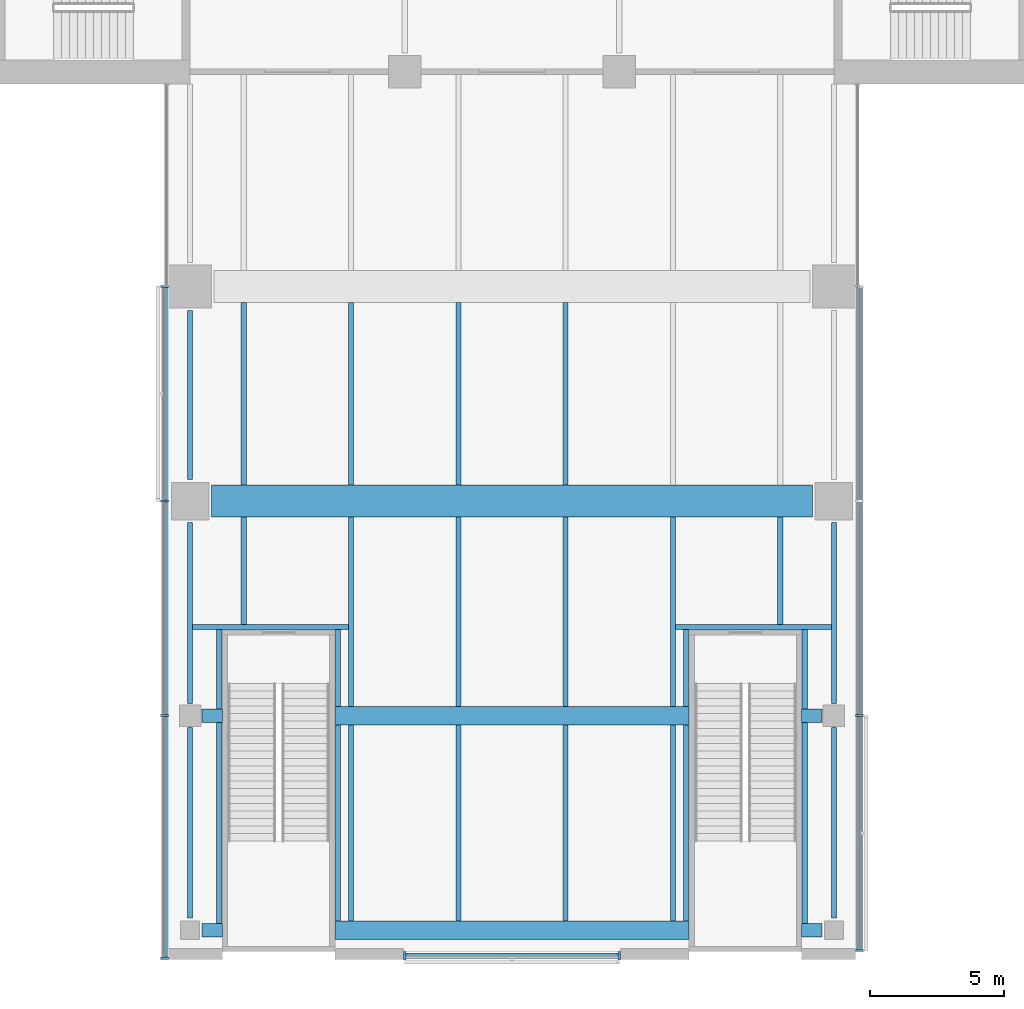
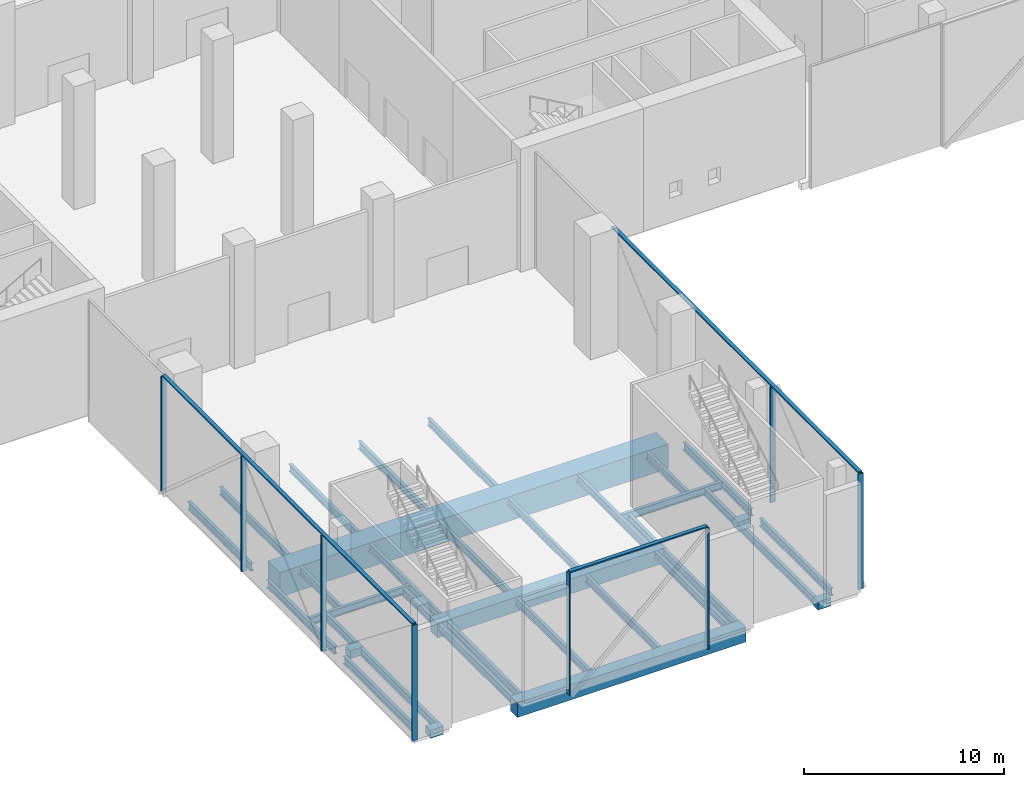
# One storey, part 2 of 25: 36 beams, 11 members, 3 elements without a shape of their own.
"""IFC4 building model written with IfcOpenShell, lengths in metres."""

import ifcopenshell
import ifcopenshell.guid

model = None  # the IFC model being written
_history = None  # IfcOwnerHistory: only IFC2X3 demands one
_inside = {}  # id of a spatial element -> (the spatial element, [elements in it])
_under = {}  # id of a project, library or spatial element -> (it, [spatial elements below it])
_declared = {}  # id of a project -> (the project, [libraries it declares])
_typed = {}  # id of a type object -> (the type object, [elements of that type])
_made_of = {}  # id of a material, layer set ... -> (it, [elements and type objects made of it])


def new_model(schema):
    """Start an empty IFC model of exactly this schema.

    Asked for "IFC4X3", IfcOpenShell would pick the latest addendum, in which some entities
    have other attributes; the version numbers below select the first issue.
    IFC2X3 requires an IfcOwnerHistory on every rooted entity: one is made here for all.
    """
    global model, _history
    if schema == "IFC4X3":
        model = ifcopenshell.file(schema_version=(4, 3, 0, 0))
    else:
        model = ifcopenshell.file(schema=schema)
    _inside.clear()
    _under.clear()
    _declared.clear()
    _typed.clear()
    _made_of.clear()
    _history = None
    if model.schema == "IFC2X3":
        org = make("IfcOrganization", Name="unknown")
        user = make(
            "IfcPersonAndOrganization",
            ThePerson=make("IfcPerson", FamilyName="unknown"),
            TheOrganization=org,
        )
        app = make(
            "IfcApplication",
            ApplicationDeveloper=org,
            Version="unknown",
            ApplicationFullName="unknown",
            ApplicationIdentifier="unknown",
        )
        _history = make(
            "IfcOwnerHistory",
            OwningUser=user,
            OwningApplication=app,
            ChangeAction="ADDED",
            CreationDate=0,
        )
    return model


def make(cls, **values):
    """One entity of the class cls with the attributes given. An attribute that is None is left unset."""
    return model.create_entity(
        cls, **{name: value for name, value in values.items() if value is not None}
    )


def rooted(cls, **values):
    """An entity with a GlobalId (a new one), such as an element, a storey or a relation."""
    return make(cls, GlobalId=ifcopenshell.guid.new(), OwnerHistory=_history, **values)


def si_unit(unit_type, name, prefix=None):
    """IfcSIUnit, for example si_unit("LENGTHUNIT", "METRE", prefix="MILLI")."""
    return make("IfcSIUnit", UnitType=unit_type, Prefix=prefix, Name=name)


def assignment(units):
    """IfcUnitAssignment: the units of a project."""
    return None if units is None else make("IfcUnitAssignment", Units=units)


def point(xyz):
    """IfcCartesianPoint."""
    return None if xyz is None else make("IfcCartesianPoint", Coordinates=xyz)


def direction(xyz):
    """IfcDirection."""
    return None if xyz is None else make("IfcDirection", DirectionRatios=xyz)


def frame(location, z_axis=None, x_axis=None):
    """IfcAxis2Placement3D, a coordinate frame: its origin and axes. An axis left out is left unset."""
    return make(
        "IfcAxis2Placement3D",
        Location=point(location),
        Axis=direction(z_axis),
        RefDirection=direction(x_axis),
    )


def frame_2d(location, x_axis=None):
    """IfcAxis2Placement2D, a coordinate frame in the plane: its origin and x axis."""
    return make(
        "IfcAxis2Placement2D", Location=point(location), RefDirection=direction(x_axis)
    )


def origin():
    """The frame at (0, 0, 0) with its axes left unset."""
    return frame((0.0, 0.0, 0.0))


def origin_2d():
    """The frame at (0, 0) in the plane with its x axis left unset."""
    return frame_2d((0.0, 0.0))


def place(relative_to, where):
    """IfcLocalPlacement: puts the frame where relative to a parent placement (None: the world)."""
    return make(
        "IfcLocalPlacement", PlacementRelTo=relative_to, RelativePlacement=where
    )


def context(
    kind, dimensions, precision=None, world=None, true_north=None, identifier=None
):
    """IfcGeometricRepresentationContext, for example the 3D "Model" context."""
    return make(
        "IfcGeometricRepresentationContext",
        ContextIdentifier=identifier,
        ContextType=kind,
        CoordinateSpaceDimension=dimensions,
        Precision=precision,
        WorldCoordinateSystem=world,
        TrueNorth=true_north,
    )


def subcontext(parent, identifier, kind, view, scale=None):
    """IfcGeometricRepresentationSubContext, for example "Body" below "Model"."""
    return make(
        "IfcGeometricRepresentationSubContext",
        ContextIdentifier=identifier,
        ContextType=kind,
        ParentContext=parent,
        TargetScale=scale,
        TargetView=view,
    )


def project(units=None, contexts=None):
    """IfcProject with its units and contexts."""
    return rooted(
        "IfcProject",
        Name="project",
        RepresentationContexts=contexts,
        UnitsInContext=assignment(units),
    )


def spatial(cls, under=None, at=None, **own):
    """A site, building, storey or space (cls), placed at a placement, below another one or the project."""
    s = rooted(cls, ObjectPlacement=at, **own)
    if under is not None:
        _under.setdefault(under.id(), (under, []))[1].append(s)
    return s


def profile(cls, at=None, kind="AREA", **sizes):
    """A parametric profile (cls). Its sizes go by their IFC names, for example OverallWidth=200.0."""
    return make(cls, ProfileType=kind, Position=at, **sizes)


def rectangle(**sizes):
    """IfcRectangleProfileDef."""
    return profile("IfcRectangleProfileDef", **sizes)


def i_section(**sizes):
    """IfcIShapeProfileDef."""
    return profile("IfcIShapeProfileDef", **sizes)


def extrude(swept, where, along, depth):
    """IfcExtrudedAreaSolid: the profile swept, set in the frame where, extruded along a direction by depth."""
    return make(
        "IfcExtrudedAreaSolid",
        SweptArea=swept,
        Position=where,
        ExtrudedDirection=direction(along),
        Depth=depth,
    )


def shape(context_of_items, identifier, shape_type, items):
    """IfcShapeRepresentation: the items that make up one representation, for example the "Body"."""
    return make(
        "IfcShapeRepresentation",
        ContextOfItems=context_of_items,
        RepresentationIdentifier=identifier,
        RepresentationType=shape_type,
        Items=items,
    )


def material(Name=None, Category=None):
    """IfcMaterial."""
    return make("IfcMaterial", Name=Name, Category=Category)


def material_profile(
    of_material, cross_section, Name=None, Category=None, Priority=None
):
    """IfcMaterialProfile: a cross section and its material."""
    return make(
        "IfcMaterialProfile",
        Name=Name,
        Material=of_material,
        Profile=cross_section,
        Priority=Priority,
        Category=Category,
    )


def profile_set(profiles, Name=None, composite=None):
    """IfcMaterialProfileSet."""
    return make(
        "IfcMaterialProfileSet",
        Name=Name,
        MaterialProfiles=profiles,
        CompositeProfile=composite,
    )


def made_of(thing, what):
    """Note that an element or type object is made of a material, layer set ...; save() writes the relation."""
    if what is not None:
        _made_of.setdefault(what.id(), (what, []))[1].append(thing)
    return thing


def type_object(cls, material=None, **own):
    """A type object (cls), such as IfcWallType, which elements share."""
    return made_of(rooted(cls, **own), material)


def element(
    cls,
    number,
    at=None,
    inside=None,
    cuts=None,
    type_object=None,
    material=None,
    context=None,
    identifier="Body",
    shape_type=None,
    held_by="IfcProductDefinitionShape",
    body=None,
    shapes=None,
    **own,
):
    """One element of the class cls, such as IfcWall. Its Tag is "e" and its number.

    at: its placement. inside: the storey or other place that contains it. cuts: it is an
    opening in that element (IfcRelVoidsElement). A single representation is given by context,
    identifier, shape_type and body (its items); several are given by shapes. held_by: the class
    of the entity that holds the representations. save() writes the other relations.
    """
    e = rooted(cls, Tag="e%d" % number, ObjectPlacement=at, **own)
    if body is not None:
        shapes = [shape(context, identifier, shape_type, body)]
    if shapes is not None:
        e.Representation = make(held_by, Representations=shapes)
    if inside is not None:
        _inside.setdefault(inside.id(), (inside, []))[1].append(e)
    if cuts is not None:
        rooted(
            "IfcRelVoidsElement", RelatingBuildingElement=cuts, RelatedOpeningElement=e
        )
    if type_object is not None:
        _typed.setdefault(type_object.id(), (type_object, []))[1].append(e)
    return made_of(e, material)


def aggregate(whole, parts):
    """IfcRelAggregates: a whole, such as a stair, and the parts it consists of."""
    return rooted("IfcRelAggregates", RelatingObject=whole, RelatedObjects=parts)


def save(model, path):
    """Write the relations noted so far, then the file.

    IfcRelAggregates (storeys below a building ...), IfcRelContainedInSpatialStructure (elements
    in a storey), IfcRelDefinesByType, IfcRelAssociatesMaterial and IfcRelDeclares: one each for
    every whole, place, type object, material and project.
    """
    for whole, parts in _under.values():
        aggregate(whole, parts)
    for where, things in _inside.values():
        rooted(
            "IfcRelContainedInSpatialStructure",
            RelatedElements=things,
            RelatingStructure=where,
        )
    for kind, things in _typed.values():
        rooted("IfcRelDefinesByType", RelatedObjects=things, RelatingType=kind)
    for what, things in _made_of.values():
        rooted("IfcRelAssociatesMaterial", RelatedObjects=things, RelatingMaterial=what)
    for by, libraries in _declared.values():
        rooted("IfcRelDeclares", RelatingContext=by, RelatedDefinitions=libraries)
    model.write(path)


model = new_model("IFC4")

# Units and contexts
model_context = context("Model", 3, precision=1e-05, world=origin(), true_north=direction((0.0, 1.0)))
body_context = subcontext(model_context, "Body", "Model", "MODEL_VIEW")
ifc_project = project(units=[si_unit("LENGTHUNIT", "METRE"), si_unit("AREAUNIT", "SQUARE_METRE"), si_unit("VOLUMEUNIT", "CUBIC_METRE"), si_unit("PLANEANGLEUNIT", "RADIAN"), si_unit("MASSUNIT", "GRAM", prefix="KILO")], contexts=[model_context])

# Site, building, storey
site_placement = place(None, origin())
site = spatial("IfcSite", under=ifc_project, at=site_placement, CompositionType="ELEMENT")
building_placement = place(site_placement, origin())
building = spatial("IfcBuilding", under=site, at=building_placement, Name="Crosswind Convention Tower", CompositionType="ELEMENT")
storey_placement = place(building_placement, frame((0.0, 0.0, 10.0)))
storey = spatial("IfcBuildingStorey", under=building, at=storey_placement, Name="L01", CompositionType="ELEMENT", Elevation=10.0)

# Beams
ifc_material_1 = material(Name="Steel S355", Category="steel")
ifc_material_profile_1 = material_profile(ifc_material_1, i_section(OverallWidth=0.19287109375, OverallDepth=0.467529296875, WebThickness=0.011474609375, FlangeThickness=0.01953125, FilletRadius=0.01025390625, at=origin_2d()), Name="UB 457x191x98")
ifc_profile_set_1 = profile_set([ifc_material_profile_1], Name="Steel S355")
beam_type_1 = type_object("IfcBeamType", Name="Edge beam UB 457x191x98", PredefinedType="SPANDREL", material=ifc_profile_set_1)
beam_1_placement = place(storey_placement, frame((113.0, 56.449951171875, -0.6337890625), z_axis=(0.0, 1.0, 0.0), x_axis=(-1.0, 0.0, 0.0)))
element("IfcBeam", 1, at=beam_1_placement, inside=storey, type_object=beam_type_1, Name="B20 L01 edge beam 5", PredefinedType="SPANDREL", context=body_context, shape_type="SweptSolid", body=[
    extrude(i_section(OverallWidth=0.19287109375, OverallDepth=0.467529296875, WebThickness=0.011474609375, FlangeThickness=0.01953125, FilletRadius=0.01025390625, at=origin_2d()), origin(), (0.0, 0.0, 1.0), 7.10009765625),
])
beam_2_placement = place(storey_placement, frame((113.0, 64.449951171875, -0.6337890625), z_axis=(0.0, 1.0, 0.0), x_axis=(-1.0, 0.0, 0.0)))
element("IfcBeam", 2, at=beam_2_placement, inside=storey, type_object=beam_type_1, Name="B20 L01 edge beam 6", PredefinedType="SPANDREL", context=body_context, shape_type="SweptSolid", body=[
    extrude(i_section(OverallWidth=0.19287109375, OverallDepth=0.467529296875, WebThickness=0.011474609375, FlangeThickness=0.01953125, FilletRadius=0.01025390625, at=origin_2d()), origin(), (0.0, 0.0, 1.0), 6.75),
])
beam_3_placement = place(storey_placement, frame((113.0, 72.800048828125, -0.6337890625), z_axis=(0.0, 1.0, 0.0), x_axis=(-1.0, 0.0, 0.0)))
element("IfcBeam", 3, at=beam_3_placement, inside=storey, type_object=beam_type_1, Name="B20 L01 edge beam 7", PredefinedType="SPANDREL", context=body_context, shape_type="SweptSolid", body=[
    extrude(i_section(OverallWidth=0.19287109375, OverallDepth=0.467529296875, WebThickness=0.011474609375, FlangeThickness=0.01953125, FilletRadius=0.01025390625, at=origin_2d()), origin(), (0.0, 0.0, 1.0), 6.300048828125),
])
beam_4_placement = place(storey_placement, frame((137.0, 56.449951171875, -0.6337890625), z_axis=(0.0, 1.0, 0.0), x_axis=(-1.0, 0.0, 0.0)))
element("IfcBeam", 4, at=beam_4_placement, inside=storey, type_object=beam_type_1, Name="B20 L01 edge beam 13", PredefinedType="SPANDREL", context=body_context, shape_type="SweptSolid", body=[
    extrude(i_section(OverallWidth=0.19287109375, OverallDepth=0.467529296875, WebThickness=0.011474609375, FlangeThickness=0.01953125, FilletRadius=0.01025390625, at=origin_2d()), origin(), (0.0, 0.0, 1.0), 7.10009765625),
])
beam_5_placement = place(storey_placement, frame((137.0, 64.449951171875, -0.6337890625), z_axis=(0.0, 1.0, 0.0), x_axis=(-1.0, 0.0, 0.0)))
element("IfcBeam", 5, at=beam_5_placement, inside=storey, type_object=beam_type_1, Name="B20 L01 edge beam 14", PredefinedType="SPANDREL", context=body_context, shape_type="SweptSolid", body=[
    extrude(i_section(OverallWidth=0.19287109375, OverallDepth=0.467529296875, WebThickness=0.011474609375, FlangeThickness=0.01953125, FilletRadius=0.01025390625, at=origin_2d()), origin(), (0.0, 0.0, 1.0), 6.75),
])

# Curtain wall, members
ifc_material_2 = material(Name="Aluminium unitised curtain wall", Category="aluminium")
curtain_wall_type = type_object("IfcCurtainWallType", Name="PODIUM UNITISED WALL 300", PredefinedType="USERDEFINED", material=ifc_material_2)
curtain_wall_1_placement = place(storey_placement, origin())
curtain_wall_1 = element("IfcCurtainWall", 6, at=curtain_wall_1_placement, inside=storey, type_object=curtain_wall_type, Name="CW1 L01 S-W 1", ObjectType="UNITISED", PredefinedType="USERDEFINED")
ifc_material_3 = material(Name="Aluminium mullion", Category="aluminium")
ifc_material_profile_2 = material_profile(ifc_material_3, rectangle(XDim=0.300048828125, YDim=0.080078125, at=origin_2d()), Name="AL 300X80")
ifc_profile_set_2 = profile_set([ifc_material_profile_2], Name="Aluminium mullion")
member_type_1 = type_object("IfcMemberType", Name="MULLION 80X300", PredefinedType="MULLION", material=ifc_profile_set_2)
member_1_placement = place(storey_placement, frame((112.050048828125, 80.0, -0.044921875), z_axis=(0.0, 0.0, 1.0), x_axis=(-1.0, 0.0, 0.0)))
member_1 = element("IfcMember", 7, at=member_1_placement, type_object=member_type_1, Name="CW1 mullion 1", PredefinedType="MULLION", context=body_context, shape_type="SweptSolid", body=[
    extrude(rectangle(XDim=0.300048828125, YDim=0.080078125, at=origin_2d()), origin(), (0.0, 0.0, 1.0), 7.06494140625),
])
member_2_placement = place(storey_placement, frame((112.050048828125, 72.0, -0.044921875), z_axis=(0.0, 0.0, 1.0), x_axis=(-1.0, 0.0, 0.0)))
member_2 = element("IfcMember", 8, at=member_2_placement, type_object=member_type_1, Name="CW1 mullion 2", PredefinedType="MULLION", context=body_context, shape_type="SweptSolid", body=[
    extrude(rectangle(XDim=0.300048828125, YDim=0.080078125, at=origin_2d()), origin(), (0.0, 0.0, 1.0), 7.06494140625),
])
member_3_placement = place(storey_placement, frame((112.050048828125, 64.0, -0.044921875), z_axis=(0.0, 0.0, 1.0), x_axis=(-1.0, 0.0, 0.0)))
member_3 = element("IfcMember", 9, at=member_3_placement, type_object=member_type_1, Name="CW1 mullion 3", PredefinedType="MULLION", context=body_context, shape_type="SweptSolid", body=[
    extrude(rectangle(XDim=0.300048828125, YDim=0.080078125, at=origin_2d()), origin(), (0.0, 0.0, 1.0), 7.06494140625),
])
member_4_placement = place(storey_placement, frame((112.050048828125, 54.955078125, -0.044921875), z_axis=(0.0, 0.0, 1.0), x_axis=(-1.0, 0.0, 0.0)))
member_4 = element("IfcMember", 10, at=member_4_placement, type_object=member_type_1, Name="CW1 mullion 4", PredefinedType="MULLION", context=body_context, shape_type="SweptSolid", body=[
    extrude(rectangle(XDim=0.300048828125, YDim=0.080078125, at=origin_2d()), origin(), (0.0, 0.0, 1.0), 7.06494140625),
])

curtain_wall_2_placement = place(storey_placement, origin())
curtain_wall_2 = element("IfcCurtainWall", 11, at=curtain_wall_2_placement, inside=storey, type_object=curtain_wall_type, Name="CW1 L01 S-TIP 1", ObjectType="UNITISED", PredefinedType="USERDEFINED")
member_5_placement = place(storey_placement, frame((121.0, 55.050048828125, -0.39990234375), z_axis=(0.0, 0.0, 1.0), x_axis=(0.0, -1.0, 0.0)))
member_5 = element("IfcMember", 12, at=member_5_placement, type_object=member_type_1, Name="CW1 mullion 1", PredefinedType="MULLION", context=body_context, shape_type="SweptSolid", body=[
    extrude(rectangle(XDim=0.300048828125, YDim=0.080078125, at=origin_2d()), origin(), (0.0, 0.0, 1.0), 7.419921875),
])
member_6_placement = place(storey_placement, frame((129.0, 55.050048828125, -0.39990234375), z_axis=(0.0, 0.0, 1.0), x_axis=(0.0, -1.0, 0.0)))
member_6 = element("IfcMember", 13, at=member_6_placement, type_object=member_type_1, Name="CW1 mullion 2", PredefinedType="MULLION", context=body_context, shape_type="SweptSolid", body=[
    extrude(rectangle(XDim=0.300048828125, YDim=0.080078125, at=origin_2d()), origin(), (0.0, 0.0, 1.0), 7.419921875),
])

curtain_wall_3_placement = place(storey_placement, origin())
curtain_wall_3 = element("IfcCurtainWall", 14, at=curtain_wall_3_placement, inside=storey, type_object=curtain_wall_type, Name="CW1 L01 S-E 1", ObjectType="UNITISED", PredefinedType="USERDEFINED")
member_7_placement = place(storey_placement, frame((137.949951171875, 55.239990234375, -0.044921875), z_axis=(0.0, 0.0, 1.0), x_axis=(1.0, 0.0, 0.0)))
member_7 = element("IfcMember", 15, at=member_7_placement, type_object=member_type_1, Name="CW1 mullion 1", PredefinedType="MULLION", context=body_context, shape_type="SweptSolid", body=[
    extrude(rectangle(XDim=0.300048828125, YDim=0.080078125, at=origin_2d()), origin(), (0.0, 0.0, 1.0), 7.06494140625),
])
member_8_placement = place(storey_placement, frame((137.949951171875, 64.0, -0.044921875), z_axis=(0.0, 0.0, 1.0), x_axis=(1.0, 0.0, 0.0)))
member_8 = element("IfcMember", 16, at=member_8_placement, type_object=member_type_1, Name="CW1 mullion 2", PredefinedType="MULLION", context=body_context, shape_type="SweptSolid", body=[
    extrude(rectangle(XDim=0.300048828125, YDim=0.080078125, at=origin_2d()), origin(), (0.0, 0.0, 1.0), 7.06494140625),
])

# Beams
ifc_material_4 = material(Name="Concrete C70/85", Category="concrete")
ifc_material_profile_3 = material_profile(ifc_material_4, rectangle(XDim=1.199951171875, YDim=1.5, at=origin_2d()), Name="RC 1200X1500")
ifc_profile_set_3 = profile_set([ifc_material_profile_3], Name="Concrete C70/85")
beam_type_2 = type_object("IfcBeamType", Name="Prestressed concrete girder RC 1200X1500", PredefinedType="BEAM", material=ifc_profile_set_3)
beam_6_placement = place(storey_placement, frame((113.800048828125, 72.0, -1.14990234375), z_axis=(1.0, 0.0, 0.0), x_axis=(0.0, 1.0, 0.0)))
element("IfcBeam", 17, at=beam_6_placement, inside=storey, type_object=beam_type_2, Name="B39 L01 prestressed concrete girder 1", PredefinedType="BEAM", context=body_context, shape_type="SweptSolid", body=[
    extrude(rectangle(XDim=1.199951171875, YDim=1.5, at=origin_2d()), origin(), (0.0, 0.0, 1.0), 22.39990234375),
])
ifc_material_5 = material(Name="Concrete C60/75", Category="concrete")
ifc_material_profile_4 = material_profile(ifc_material_5, rectangle(XDim=0.699951171875, YDim=0.89990234375, at=origin_2d()), Name="RC 700X900")
ifc_profile_set_4 = profile_set([ifc_material_profile_4], Name="Concrete C60/75")
beam_type_3 = type_object("IfcBeamType", Name="Prestressed concrete girder between stair walls RC 700X900", PredefinedType="BEAM", material=ifc_profile_set_4)
for number, where, z_axis, x_axis, name in (
    (18, (118.39990234375, 56.0, -0.85009765625), (1.0, 0.0, 0.0), (0.0, 1.0, 0.0), "B41 L01 prestressed concrete girder between stair walls 3"),
    (19, (118.39990234375, 64.0, -0.85009765625), (1.0, 0.0, 0.0), (0.0, 1.0, 0.0), "B41 L01 prestressed concrete girder between stair walls 4"),
):
    element("IfcBeam", number, at=place(storey_placement, frame(where, z_axis=z_axis, x_axis=x_axis)), inside=storey, type_object=beam_type_3, Name=name, PredefinedType="BEAM", context=body_context, shape_type="SweptSolid", body=[
        extrude(rectangle(XDim=0.699951171875, YDim=0.89990234375, at=origin_2d()), origin(), (0.0, 0.0, 1.0), 13.2001953125),
    ])
ifc_material_profile_5 = material_profile(ifc_material_1, i_section(OverallWidth=0.19140625, OverallDepth=0.460205078125, WebThickness=0.010009765625, FlangeThickness=0.01611328125, FilletRadius=0.01025390625, at=origin_2d()), Name="UB 457x191x82")
ifc_profile_set_5 = profile_set([ifc_material_profile_5], Name="Steel S355")
beam_type_4 = type_object("IfcBeamType", Name="Secondary beam UB 457x191x82", PredefinedType="JOIST", material=ifc_profile_set_5)
beam_7_placement = place(storey_placement, frame((115.0, 67.406005859375, -0.630126953125), z_axis=(0.0, 1.0, 0.0), x_axis=(-1.0, 0.0, 0.0)))
element("IfcBeam", 20, at=beam_7_placement, inside=storey, type_object=beam_type_4, Name="B13 L01 secondary beam 14", PredefinedType="JOIST", context=body_context, shape_type="SweptSolid", body=[
    extrude(i_section(OverallWidth=0.19140625, OverallDepth=0.460205078125, WebThickness=0.010009765625, FlangeThickness=0.01611328125, FilletRadius=0.01025390625, at=origin_2d()), origin(), (0.0, 0.0, 1.0), 3.993896484375),
])
beam_8_placement = place(storey_placement, frame((115.0, 72.60009765625, -0.630126953125), z_axis=(0.0, 1.0, 0.0), x_axis=(-1.0, 0.0, 0.0)))
element("IfcBeam", 21, at=beam_8_placement, inside=storey, type_object=beam_type_4, Name="B13 L01 secondary beam 15", PredefinedType="JOIST", context=body_context, shape_type="SweptSolid", body=[
    extrude(i_section(OverallWidth=0.19140625, OverallDepth=0.460205078125, WebThickness=0.010009765625, FlangeThickness=0.01611328125, FilletRadius=0.01025390625, at=origin_2d()), origin(), (0.0, 0.0, 1.0), 6.7998046875),
])
beam_9_placement = place(storey_placement, frame((119.0, 56.35009765625, -0.630126953125), z_axis=(0.0, 1.0, 0.0), x_axis=(-1.0, 0.0, 0.0)))
element("IfcBeam", 22, at=beam_9_placement, inside=storey, type_object=beam_type_4, Name="B13 L01 secondary beam 20", PredefinedType="JOIST", context=body_context, shape_type="SweptSolid", body=[
    extrude(i_section(OverallWidth=0.19140625, OverallDepth=0.460205078125, WebThickness=0.010009765625, FlangeThickness=0.01611328125, FilletRadius=0.01025390625, at=origin_2d()), origin(), (0.0, 0.0, 1.0), 7.2998046875),
])
beam_10_placement = place(storey_placement, frame((119.0, 64.35009765625, -0.630126953125), z_axis=(0.0, 1.0, 0.0), x_axis=(-1.0, 0.0, 0.0)))
element("IfcBeam", 23, at=beam_10_placement, inside=storey, type_object=beam_type_4, Name="B13 L01 secondary beam 21", PredefinedType="JOIST", context=body_context, shape_type="SweptSolid", body=[
    extrude(i_section(OverallWidth=0.19140625, OverallDepth=0.460205078125, WebThickness=0.010009765625, FlangeThickness=0.01611328125, FilletRadius=0.01025390625, at=origin_2d()), origin(), (0.0, 0.0, 1.0), 7.0498046875),
])
beam_11_placement = place(storey_placement, frame((119.0, 72.60009765625, -0.630126953125), z_axis=(0.0, 1.0, 0.0), x_axis=(-1.0, 0.0, 0.0)))
element("IfcBeam", 24, at=beam_11_placement, inside=storey, type_object=beam_type_4, Name="B13 L01 secondary beam 22", PredefinedType="JOIST", context=body_context, shape_type="SweptSolid", body=[
    extrude(i_section(OverallWidth=0.19140625, OverallDepth=0.460205078125, WebThickness=0.010009765625, FlangeThickness=0.01611328125, FilletRadius=0.01025390625, at=origin_2d()), origin(), (0.0, 0.0, 1.0), 6.7998046875),
])
beam_12_placement = place(storey_placement, frame((123.0, 56.35009765625, -0.630126953125), z_axis=(0.0, 1.0, 0.0), x_axis=(-1.0, 0.0, 0.0)))
element("IfcBeam", 25, at=beam_12_placement, inside=storey, type_object=beam_type_4, Name="B13 L01 secondary beam 31", PredefinedType="JOIST", context=body_context, shape_type="SweptSolid", body=[
    extrude(i_section(OverallWidth=0.19140625, OverallDepth=0.460205078125, WebThickness=0.010009765625, FlangeThickness=0.01611328125, FilletRadius=0.01025390625, at=origin_2d()), origin(), (0.0, 0.0, 1.0), 7.2998046875),
])
beam_13_placement = place(storey_placement, frame((123.0, 64.35009765625, -0.630126953125), z_axis=(0.0, 1.0, 0.0), x_axis=(-1.0, 0.0, 0.0)))
element("IfcBeam", 26, at=beam_13_placement, inside=storey, type_object=beam_type_4, Name="B13 L01 secondary beam 32", PredefinedType="JOIST", context=body_context, shape_type="SweptSolid", body=[
    extrude(i_section(OverallWidth=0.19140625, OverallDepth=0.460205078125, WebThickness=0.010009765625, FlangeThickness=0.01611328125, FilletRadius=0.01025390625, at=origin_2d()), origin(), (0.0, 0.0, 1.0), 7.0498046875),
])
beam_14_placement = place(storey_placement, frame((123.0, 72.60009765625, -0.630126953125), z_axis=(0.0, 1.0, 0.0), x_axis=(-1.0, 0.0, 0.0)))
element("IfcBeam", 27, at=beam_14_placement, inside=storey, type_object=beam_type_4, Name="B13 L01 secondary beam 33", PredefinedType="JOIST", context=body_context, shape_type="SweptSolid", body=[
    extrude(i_section(OverallWidth=0.19140625, OverallDepth=0.460205078125, WebThickness=0.010009765625, FlangeThickness=0.01611328125, FilletRadius=0.01025390625, at=origin_2d()), origin(), (0.0, 0.0, 1.0), 6.7998046875),
])
beam_15_placement = place(storey_placement, frame((127.0, 56.35009765625, -0.630126953125), z_axis=(0.0, 1.0, 0.0), x_axis=(-1.0, 0.0, 0.0)))
element("IfcBeam", 28, at=beam_15_placement, inside=storey, type_object=beam_type_4, Name="B13 L01 secondary beam 39", PredefinedType="JOIST", context=body_context, shape_type="SweptSolid", body=[
    extrude(i_section(OverallWidth=0.19140625, OverallDepth=0.460205078125, WebThickness=0.010009765625, FlangeThickness=0.01611328125, FilletRadius=0.01025390625, at=origin_2d()), origin(), (0.0, 0.0, 1.0), 7.2998046875),
])
beam_16_placement = place(storey_placement, frame((127.0, 64.35009765625, -0.630126953125), z_axis=(0.0, 1.0, 0.0), x_axis=(-1.0, 0.0, 0.0)))
element("IfcBeam", 29, at=beam_16_placement, inside=storey, type_object=beam_type_4, Name="B13 L01 secondary beam 40", PredefinedType="JOIST", context=body_context, shape_type="SweptSolid", body=[
    extrude(i_section(OverallWidth=0.19140625, OverallDepth=0.460205078125, WebThickness=0.010009765625, FlangeThickness=0.01611328125, FilletRadius=0.01025390625, at=origin_2d()), origin(), (0.0, 0.0, 1.0), 7.0498046875),
])
beam_17_placement = place(storey_placement, frame((127.0, 72.60009765625, -0.630126953125), z_axis=(0.0, 1.0, 0.0), x_axis=(-1.0, 0.0, 0.0)))
element("IfcBeam", 30, at=beam_17_placement, inside=storey, type_object=beam_type_4, Name="B13 L01 secondary beam 41", PredefinedType="JOIST", context=body_context, shape_type="SweptSolid", body=[
    extrude(i_section(OverallWidth=0.19140625, OverallDepth=0.460205078125, WebThickness=0.010009765625, FlangeThickness=0.01611328125, FilletRadius=0.01025390625, at=origin_2d()), origin(), (0.0, 0.0, 1.0), 6.7998046875),
])
beam_18_placement = place(storey_placement, frame((131.0, 56.35009765625, -0.630126953125), z_axis=(0.0, 1.0, 0.0), x_axis=(-1.0, 0.0, 0.0)))
element("IfcBeam", 31, at=beam_18_placement, inside=storey, type_object=beam_type_4, Name="B13 L01 secondary beam 50", PredefinedType="JOIST", context=body_context, shape_type="SweptSolid", body=[
    extrude(i_section(OverallWidth=0.19140625, OverallDepth=0.460205078125, WebThickness=0.010009765625, FlangeThickness=0.01611328125, FilletRadius=0.01025390625, at=origin_2d()), origin(), (0.0, 0.0, 1.0), 7.2998046875),
])
beam_19_placement = place(storey_placement, frame((131.0, 64.35009765625, -0.630126953125), z_axis=(0.0, 1.0, 0.0), x_axis=(-1.0, 0.0, 0.0)))
element("IfcBeam", 32, at=beam_19_placement, inside=storey, type_object=beam_type_4, Name="B13 L01 secondary beam 51", PredefinedType="JOIST", context=body_context, shape_type="SweptSolid", body=[
    extrude(i_section(OverallWidth=0.19140625, OverallDepth=0.460205078125, WebThickness=0.010009765625, FlangeThickness=0.01611328125, FilletRadius=0.01025390625, at=origin_2d()), origin(), (0.0, 0.0, 1.0), 7.0498046875),
])
beam_20_placement = place(storey_placement, frame((135.0, 67.406005859375, -0.630126953125), z_axis=(0.0, 1.0, 0.0), x_axis=(-1.0, 0.0, 0.0)))
element("IfcBeam", 33, at=beam_20_placement, inside=storey, type_object=beam_type_4, Name="B13 L01 secondary beam 58", PredefinedType="JOIST", context=body_context, shape_type="SweptSolid", body=[
    extrude(i_section(OverallWidth=0.19140625, OverallDepth=0.460205078125, WebThickness=0.010009765625, FlangeThickness=0.01611328125, FilletRadius=0.01025390625, at=origin_2d()), origin(), (0.0, 0.0, 1.0), 3.993896484375),
])
ifc_material_profile_6 = material_profile(ifc_material_5, rectangle(XDim=0.5, YDim=0.5, at=origin_2d()), Name="RC 500X500")
ifc_profile_set_6 = profile_set([ifc_material_profile_6], Name="Concrete C60/75")
beam_type_5 = type_object("IfcBeamType", Name="Slab edge tie beam RC 500X500", PredefinedType="BEAM", material=ifc_profile_set_6)
for number, where, z_axis, x_axis, name in (
    (34, (113.449951171875, 56.0, -0.64990234375), (1.0, 0.0, 0.0), (0.0, 1.0, 0.0), "B42 L01 slab edge tie beam 5"),
    (35, (113.449951171875, 64.0, -0.64990234375), (1.0, 0.0, 0.0), (0.0, 1.0, 0.0), "B42 L01 slab edge tie beam 6"),
    (36, (135.800048828125, 56.0, -0.64990234375), (1.0, 0.0, 0.0), (0.0, 1.0, 0.0), "B42 L01 slab edge tie beam 9"),
    (37, (135.800048828125, 64.0, -0.64990234375), (1.0, 0.0, 0.0), (0.0, 1.0, 0.0), "B42 L01 slab edge tie beam 10"),
):
    element("IfcBeam", number, at=place(storey_placement, frame(where, z_axis=z_axis, x_axis=x_axis)), inside=storey, type_object=beam_type_5, Name=name, PredefinedType="BEAM", context=body_context, shape_type="SweptSolid", body=[
        extrude(rectangle(XDim=0.5, YDim=0.5, at=origin_2d()), origin(), (0.0, 0.0, 1.0), 0.75),
    ])

# Member
ifc_material_6 = material(Name="Aluminium transom", Category="aluminium")
ifc_material_profile_7 = material_profile(ifc_material_6, rectangle(XDim=0.219970703125, YDim=0.080078125, at=origin_2d()), Name="AL 220X80")
ifc_profile_set_7 = profile_set([ifc_material_profile_7], Name="Aluminium transom")
member_type_2 = type_object("IfcMemberType", Name="TRANSOM 80X220", PredefinedType="USERDEFINED", material=ifc_profile_set_7)
member_9_placement = place(storey_placement, frame((112.050048828125, 79.9599609375, 7.06005859375), z_axis=(0.0, -1.0, 0.0), x_axis=(1.0, 0.0, 0.0)))
member_9 = element("IfcMember", 38, at=member_9_placement, type_object=member_type_2, Name="CW1 transom", ObjectType="TRANSOM", PredefinedType="USERDEFINED", context=body_context, shape_type="SweptSolid", body=[
    extrude(rectangle(XDim=0.219970703125, YDim=0.080078125, at=origin_2d()), origin(), (0.0, 0.0, 1.0), 24.96484375),
])

aggregate(curtain_wall_1, [member_1, member_2, member_3, member_4, member_9])

member_10_placement = place(storey_placement, frame((121.0400390625, 55.050048828125, 7.06005859375), z_axis=(1.0, 0.0, 0.0), x_axis=(0.0, 1.0, 0.0)))
member_10 = element("IfcMember", 39, at=member_10_placement, type_object=member_type_2, Name="CW1 transom", ObjectType="TRANSOM", PredefinedType="USERDEFINED", context=body_context, shape_type="SweptSolid", body=[
    extrude(rectangle(XDim=0.219970703125, YDim=0.080078125, at=origin_2d()), origin(), (0.0, 0.0, 1.0), 7.919921875),
])

aggregate(curtain_wall_2, [member_5, member_6, member_10])

member_11_placement = place(storey_placement, frame((137.949951171875, 55.280029296875, 7.06005859375), z_axis=(0.0, 1.0, 0.0), x_axis=(-1.0, 0.0, 0.0)))
member_11 = element("IfcMember", 40, at=member_11_placement, type_object=member_type_2, Name="CW1 transom", ObjectType="TRANSOM", PredefinedType="USERDEFINED", context=body_context, shape_type="SweptSolid", body=[
    extrude(rectangle(XDim=0.219970703125, YDim=0.080078125, at=origin_2d()), origin(), (0.0, 0.0, 1.0), 24.679931640625),
])

aggregate(curtain_wall_3, [member_7, member_8, member_11])

# Beams
ifc_material_profile_8 = material_profile(ifc_material_1, i_section(OverallWidth=0.19189453125, OverallDepth=0.463623046875, WebThickness=0.010498046875, FlangeThickness=0.017578125, FilletRadius=0.01025390625, at=origin_2d()), Name="UB 457x191x90")
ifc_profile_set_8 = profile_set([ifc_material_profile_8], Name="Steel S355")
beam_type_6 = type_object("IfcBeamType", Name="Trimmer beam UB 457x191x90", PredefinedType="BEAM", material=ifc_profile_set_8)
beam_21_placement = place(storey_placement, frame((113.096435546875, 67.31005859375, -0.6318359375), z_axis=(1.0, 0.0, 0.0), x_axis=(0.0, 1.0, 0.0)))
element("IfcBeam", 41, at=beam_21_placement, inside=storey, type_object=beam_type_6, Name="B33 L01 trimmer beam 11", PredefinedType="BEAM", context=body_context, shape_type="SweptSolid", body=[
    extrude(i_section(OverallWidth=0.19189453125, OverallDepth=0.463623046875, WebThickness=0.010498046875, FlangeThickness=0.017578125, FilletRadius=0.01025390625, at=origin_2d()), origin(), (0.0, 0.0, 1.0), 5.807861328125),
])
beam_22_placement = place(storey_placement, frame((114.090087890625, 63.75, -0.6318359375), z_axis=(0.0, -1.0, 0.0), x_axis=(1.0, 0.0, 0.0)))
element("IfcBeam", 42, at=beam_22_placement, inside=storey, type_object=beam_type_6, Name="B33 L01 trimmer beam 13", PredefinedType="BEAM", context=body_context, shape_type="SweptSolid", body=[
    extrude(i_section(OverallWidth=0.19189453125, OverallDepth=0.463623046875, WebThickness=0.010498046875, FlangeThickness=0.017578125, FilletRadius=0.01025390625, at=origin_2d()), origin(), (0.0, 0.0, 1.0), 7.5),
])
beam_23_placement = place(storey_placement, frame((114.090087890625, 67.214111328125, -0.6318359375), z_axis=(0.0, -1.0, 0.0), x_axis=(1.0, 0.0, 0.0)))
element("IfcBeam", 43, at=beam_23_placement, inside=storey, type_object=beam_type_6, Name="B33 L01 trimmer beam 14", PredefinedType="BEAM", context=body_context, shape_type="SweptSolid", body=[
    extrude(i_section(OverallWidth=0.19189453125, OverallDepth=0.463623046875, WebThickness=0.010498046875, FlangeThickness=0.017578125, FilletRadius=0.01025390625, at=origin_2d()), origin(), (0.0, 0.0, 1.0), 2.964111328125),
])
beam_24_placement = place(storey_placement, frame((118.510009765625, 63.64990234375, -0.6318359375), z_axis=(0.0, -1.0, 0.0), x_axis=(1.0, 0.0, 0.0)))
element("IfcBeam", 44, at=beam_24_placement, inside=storey, type_object=beam_type_6, Name="B33 L01 trimmer beam 17", PredefinedType="BEAM", context=body_context, shape_type="SweptSolid", body=[
    extrude(i_section(OverallWidth=0.19189453125, OverallDepth=0.463623046875, WebThickness=0.010498046875, FlangeThickness=0.017578125, FilletRadius=0.01025390625, at=origin_2d()), origin(), (0.0, 0.0, 1.0), 7.2998046875),
])
beam_25_placement = place(storey_placement, frame((118.510009765625, 67.214111328125, -0.6318359375), z_axis=(0.0, -1.0, 0.0), x_axis=(1.0, 0.0, 0.0)))
element("IfcBeam", 45, at=beam_25_placement, inside=storey, type_object=beam_type_6, Name="B33 L01 trimmer beam 18", PredefinedType="BEAM", context=body_context, shape_type="SweptSolid", body=[
    extrude(i_section(OverallWidth=0.19189453125, OverallDepth=0.463623046875, WebThickness=0.010498046875, FlangeThickness=0.017578125, FilletRadius=0.01025390625, at=origin_2d()), origin(), (0.0, 0.0, 1.0), 2.864013671875),
])
beam_26_placement = place(storey_placement, frame((131.095703125, 67.31005859375, -0.6318359375), z_axis=(1.0, 0.0, 0.0), x_axis=(0.0, 1.0, 0.0)))
element("IfcBeam", 46, at=beam_26_placement, inside=storey, type_object=beam_type_6, Name="B33 L01 trimmer beam 21", PredefinedType="BEAM", context=body_context, shape_type="SweptSolid", body=[
    extrude(i_section(OverallWidth=0.19189453125, OverallDepth=0.463623046875, WebThickness=0.010498046875, FlangeThickness=0.017578125, FilletRadius=0.01025390625, at=origin_2d()), origin(), (0.0, 0.0, 1.0), 5.807861328125),
])
beam_27_placement = place(storey_placement, frame((131.489990234375, 63.64990234375, -0.6318359375), z_axis=(0.0, -1.0, 0.0), x_axis=(1.0, 0.0, 0.0)))
element("IfcBeam", 47, at=beam_27_placement, inside=storey, type_object=beam_type_6, Name="B33 L01 trimmer beam 23", PredefinedType="BEAM", context=body_context, shape_type="SweptSolid", body=[
    extrude(i_section(OverallWidth=0.19189453125, OverallDepth=0.463623046875, WebThickness=0.010498046875, FlangeThickness=0.017578125, FilletRadius=0.01025390625, at=origin_2d()), origin(), (0.0, 0.0, 1.0), 7.2998046875),
])
beam_28_placement = place(storey_placement, frame((131.489990234375, 67.214111328125, -0.6318359375), z_axis=(0.0, -1.0, 0.0), x_axis=(1.0, 0.0, 0.0)))
element("IfcBeam", 48, at=beam_28_placement, inside=storey, type_object=beam_type_6, Name="B33 L01 trimmer beam 24", PredefinedType="BEAM", context=body_context, shape_type="SweptSolid", body=[
    extrude(i_section(OverallWidth=0.19189453125, OverallDepth=0.463623046875, WebThickness=0.010498046875, FlangeThickness=0.017578125, FilletRadius=0.01025390625, at=origin_2d()), origin(), (0.0, 0.0, 1.0), 2.864013671875),
])
beam_29_placement = place(storey_placement, frame((135.909912109375, 63.75, -0.6318359375), z_axis=(0.0, -1.0, 0.0), x_axis=(1.0, 0.0, 0.0)))
element("IfcBeam", 49, at=beam_29_placement, inside=storey, type_object=beam_type_6, Name="B33 L01 trimmer beam 27", PredefinedType="BEAM", context=body_context, shape_type="SweptSolid", body=[
    extrude(i_section(OverallWidth=0.19189453125, OverallDepth=0.463623046875, WebThickness=0.010498046875, FlangeThickness=0.017578125, FilletRadius=0.01025390625, at=origin_2d()), origin(), (0.0, 0.0, 1.0), 7.5),
])
beam_30_placement = place(storey_placement, frame((135.909912109375, 67.214111328125, -0.6318359375), z_axis=(0.0, -1.0, 0.0), x_axis=(1.0, 0.0, 0.0)))
element("IfcBeam", 50, at=beam_30_placement, inside=storey, type_object=beam_type_6, Name="B33 L01 trimmer beam 28", PredefinedType="BEAM", context=body_context, shape_type="SweptSolid", body=[
    extrude(i_section(OverallWidth=0.19189453125, OverallDepth=0.463623046875, WebThickness=0.010498046875, FlangeThickness=0.017578125, FilletRadius=0.01025390625, at=origin_2d()), origin(), (0.0, 0.0, 1.0), 2.964111328125),
])

save(model, "model.ifc")
